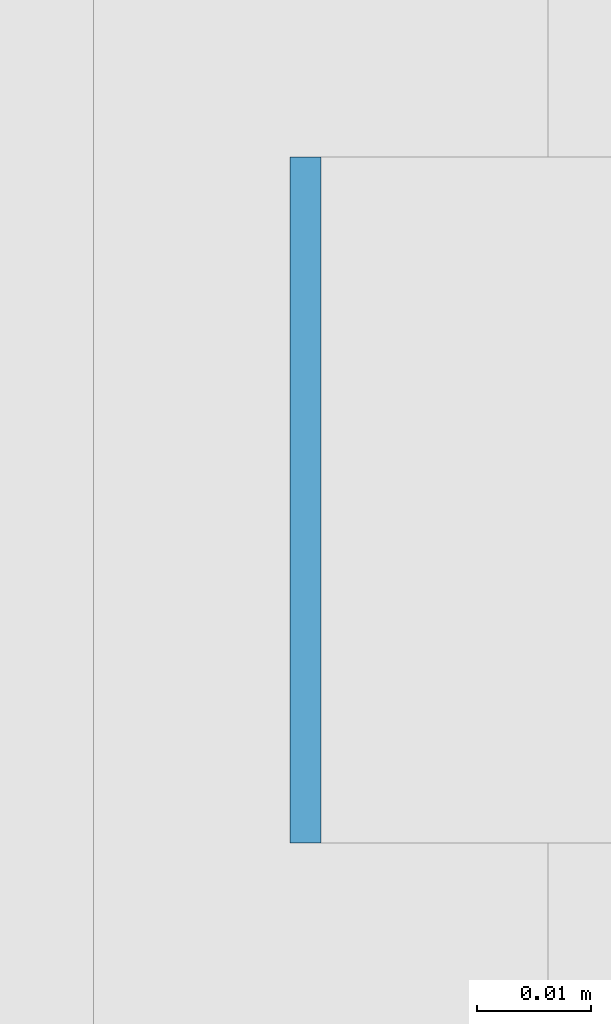
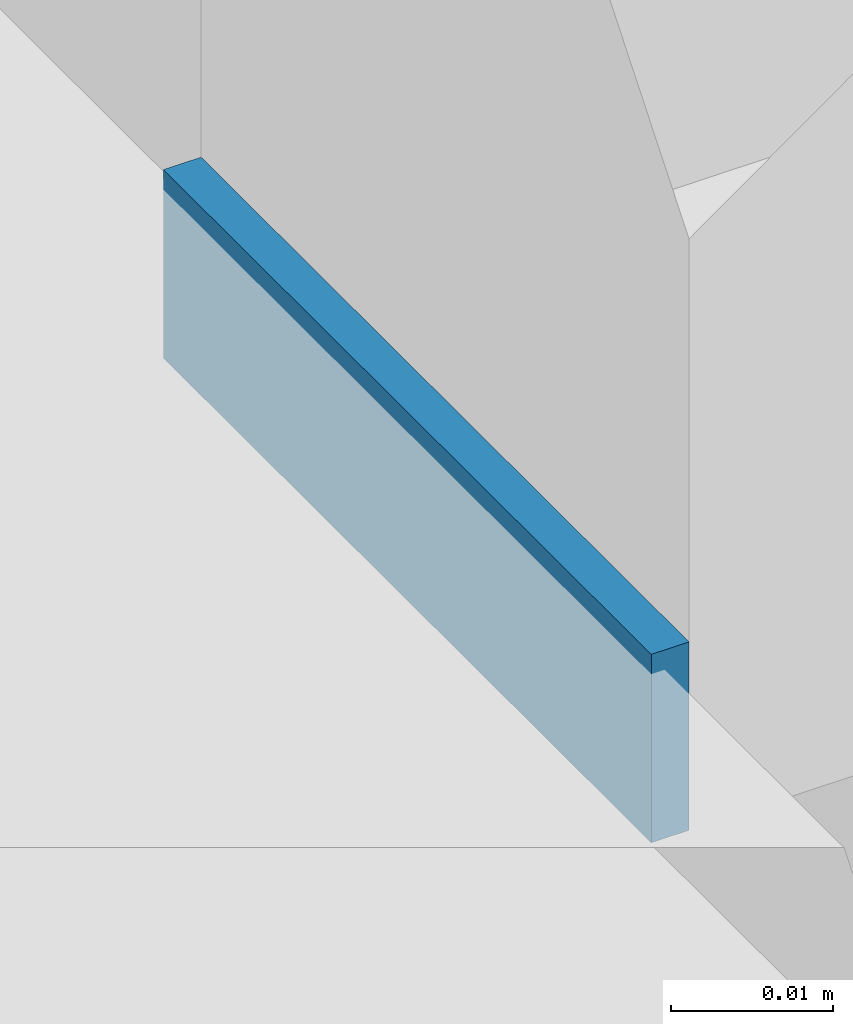
# One storey, part 502 of 646: 1 discrete accessory.
"""IFC4 building model written with IfcOpenShell, lengths in metres."""

from ifc_helpers import new_model, si_unit, direction, frame, origin, origin_2d, place, context, subcontext, project, spatial, rectangle, extrude, material, type_object, element, save


model = new_model("IFC4")

# Units and contexts
model_context = context("Model", 3, precision=1e-05, world=origin(), true_north=direction((0.0, 1.0)))
body_context = subcontext(model_context, "Body", "Model", "MODEL_VIEW")
ifc_project = project(units=[si_unit("LENGTHUNIT", "METRE"), si_unit("AREAUNIT", "SQUARE_METRE"), si_unit("VOLUMEUNIT", "CUBIC_METRE"), si_unit("PLANEANGLEUNIT", "RADIAN"), si_unit("MASSUNIT", "GRAM", prefix="KILO")], contexts=[model_context])

# Site, building, storey
site_placement = place(None, origin())
site = spatial("IfcSite", under=ifc_project, at=site_placement, CompositionType="ELEMENT")
building_placement = place(site_placement, origin())
building = spatial("IfcBuilding", under=site, at=building_placement, Name="Silverbay Arena", CompositionType="ELEMENT")
storey_placement = place(building_placement, frame((0.0, 0.0, 33.5)))
storey = spatial("IfcBuildingStorey", under=building, at=storey_placement, Name="L05", CompositionType="ELEMENT", Elevation=33.5)

# Discrete accessory
ifc_material = material(Name="Steel S355", Category="steel")
discrete_accessory_type = type_object("IfcDiscreteAccessoryType", Name="Steel bracket plate", PredefinedType="BRACKET", material=ifc_material)
discrete_accessory_placement = place(storey_placement, frame((207.128662109375, 68.142822265625, 4.0), z_axis=(0.0, 0.0, 1.0), x_axis=(1.0, 0.0, 0.0)))
element("IfcDiscreteAccessory", 1, at=discrete_accessory_placement, inside=storey, type_object=discrete_accessory_type, Name="Curtain wall packing plate", PredefinedType="BRACKET", context=body_context, shape_type="SweptSolid", body=[
    extrude(rectangle(XDim=0.002685546875, YDim=0.06005859375, at=origin_2d()), origin(), (0.0, 0.0, 1.0), 0.01416015625),
])

save(model, "model.ifc")
